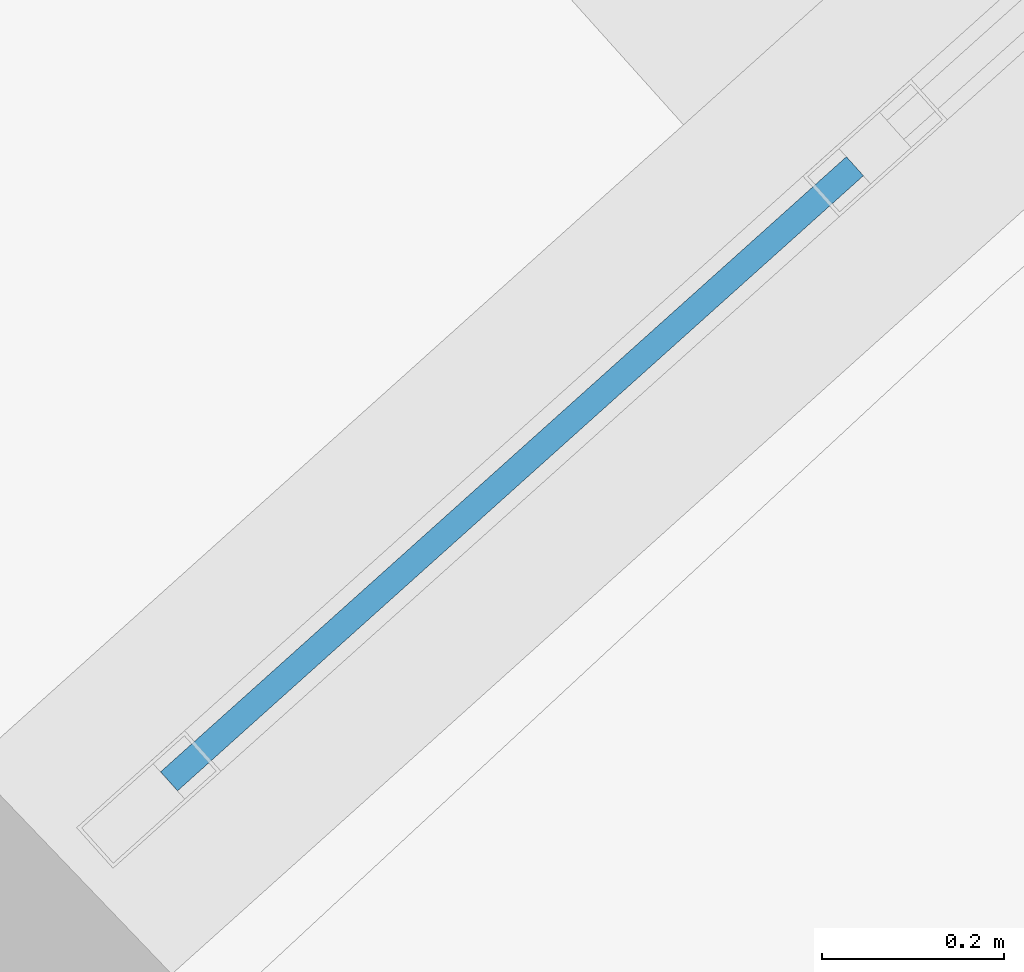
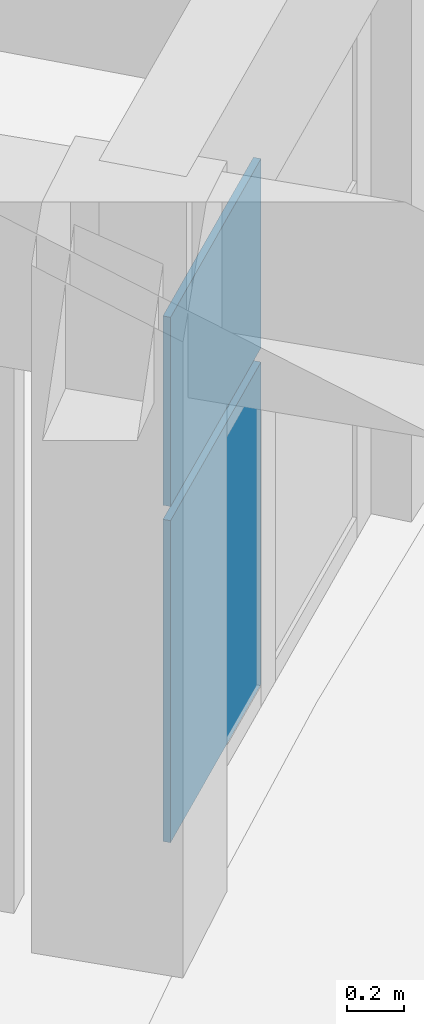
# One storey, part 46 of 96: 2 plates, 1 element without a shape of its own.
"""IFC4 building model written with IfcOpenShell, lengths in metres."""

from ifc_helpers import new_model, si_unit, direction, frame, origin, origin_2d, place, context, subcontext, project, spatial, rectangle, extrude, material, layer, layer_set, type_object, element, aggregate, save


model = new_model("IFC4")

# Units and contexts
model_context = context("Model", 3, precision=1e-05, world=origin(), true_north=direction((0.0, 1.0)))
body_context = subcontext(model_context, "Body", "Model", "MODEL_VIEW")
ifc_project = project(units=[si_unit("LENGTHUNIT", "METRE"), si_unit("AREAUNIT", "SQUARE_METRE"), si_unit("VOLUMEUNIT", "CUBIC_METRE"), si_unit("PLANEANGLEUNIT", "RADIAN"), si_unit("MASSUNIT", "GRAM", prefix="KILO")], contexts=[model_context])

# Site, building, storey
site_placement = place(None, origin())
site = spatial("IfcSite", under=ifc_project, at=site_placement, CompositionType="ELEMENT")
building_placement = place(site_placement, origin())
building = spatial("IfcBuilding", under=site, at=building_placement, Name="Tanwirah Colonnade Gardens", CompositionType="ELEMENT")
storey_placement = place(building_placement, frame((0.0, 0.0, 12.199951171875)))
storey = spatial("IfcBuildingStorey", under=building, at=storey_placement, Name="L03", CompositionType="ELEMENT", Elevation=12.199951171875)

# Curtain wall, plates
ifc_material_1 = material(Name="Bronze-anodised aluminium and solar-control low-E glass", Category="aluminium")
curtain_wall_type = type_object("IfcCurtainWallType", Name="CW-GDN", PredefinedType="NOTDEFINED", material=ifc_material_1)
curtain_wall_placement = place(storey_placement, origin())
curtain_wall = element("IfcCurtainWall", 1, at=curtain_wall_placement, inside=storey, type_object=curtain_wall_type, Name="Curtain Wall CW-A-L03-IN-09", PredefinedType="NOTDEFINED")
ifc_material_2 = material(Name="Solar-control low-E double glazing", Category="glass")
ifc_layer = layer(ifc_material_2, 0.028076171875)
ifc_layer_set = layer_set([ifc_layer], Name="Solar-control low-E double glazing")
plate_type = type_object("IfcPlateType", Name="CWP-GLZ28", PredefinedType="CURTAIN_PANEL", material=ifc_layer_set)
plate_1_placement = place(storey_placement, frame((34.937255859375, 92.91357421875, 0.06005859375), z_axis=(0.0, 0.0, 1.0), x_axis=(-0.744440162253, -0.667689182798, 0.0)))
plate_1 = element("IfcPlate", 2, at=plate_1_placement, type_object=plate_type, Name="CW-GDN panel 2.1", PredefinedType="CURTAIN_PANEL", context=body_context, shape_type="SweptSolid", body=[
    extrude(rectangle(XDim=1.01513671875, YDim=0.028076171875, at=origin_2d()), origin(), (0.0, 0.0, 1.0), 1.3701171875),
])
plate_2_placement = place(storey_placement, frame((34.937255859375, 92.91357421875, 1.490234375), z_axis=(0.0, 0.0, 1.0), x_axis=(-0.744440162253, -0.667689182798, 0.0)))
plate_2 = element("IfcPlate", 3, at=plate_2_placement, type_object=plate_type, Name="CW-GDN panel 2.2", PredefinedType="CURTAIN_PANEL", context=body_context, shape_type="SweptSolid", body=[
    extrude(rectangle(XDim=1.01513671875, YDim=0.028076171875, at=origin_2d()), origin(), (0.0, 0.0, 1.0), 0.804931640625),
])
aggregate(curtain_wall, [plate_1, plate_2])

save(model, "model.ifc")
